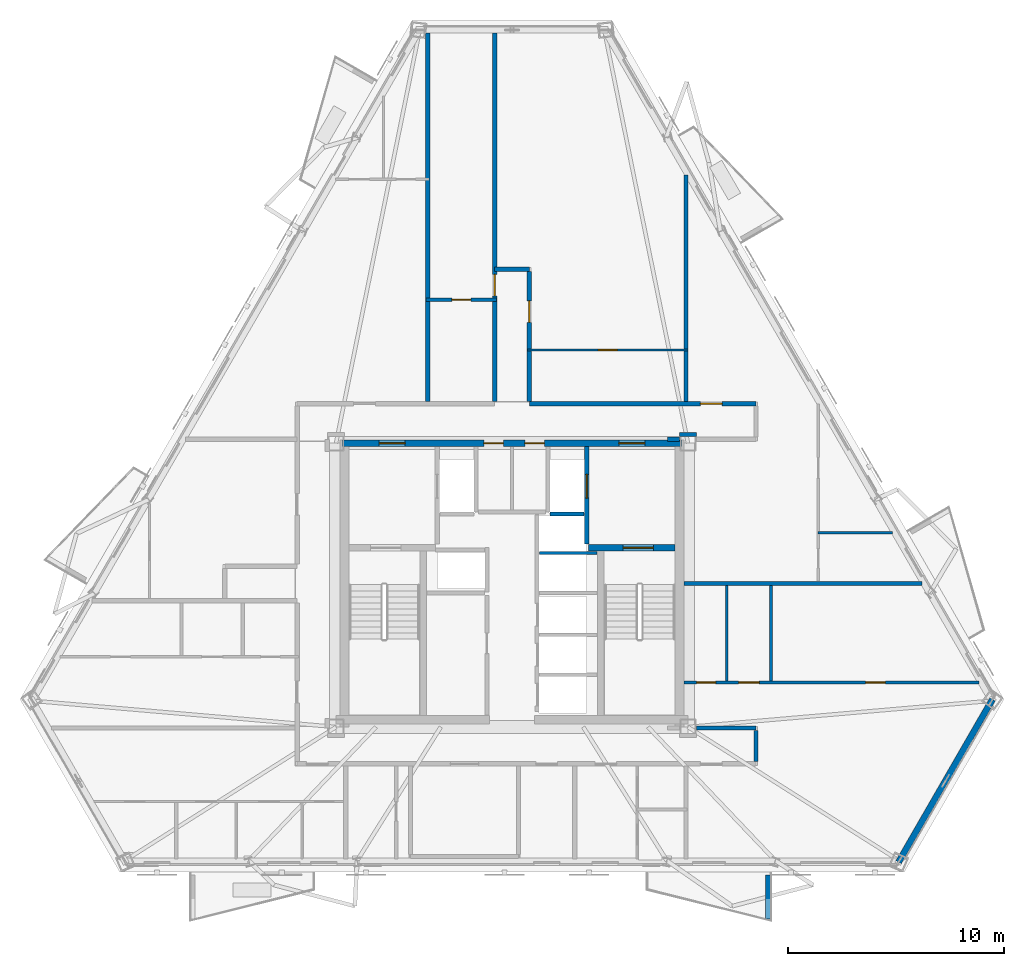
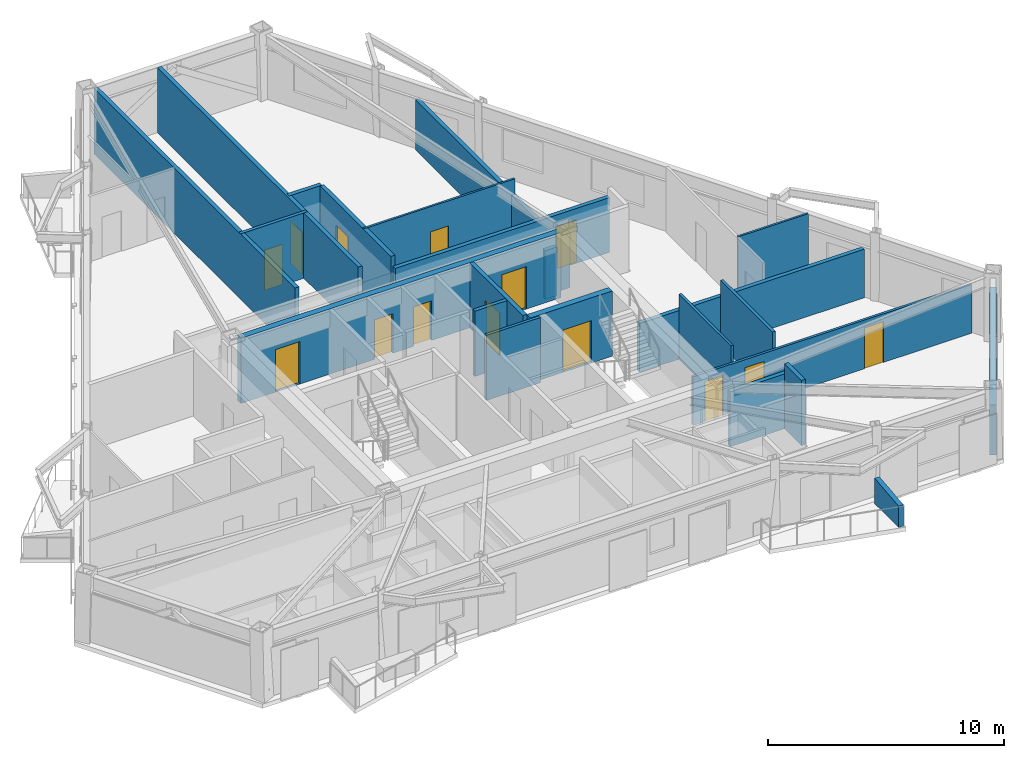
# One storey, part 5 of 9: 24 walls, 14 doors, 14 openings.
"""IFC4 building model written with IfcOpenShell, lengths in metres."""

from ifc_helpers import new_model, si_unit, direction, frame, frame_2d, origin, place, context, subcontext, project, spatial, polyline, rectangle, outline, extrude, material, layer, layer_set, type_object, element, fill, save


model = new_model("IFC4")

# Units and contexts
model_context = context("Model", 3, precision=1e-05, world=origin(), true_north=direction((0.0, 1.0)))
body_context = subcontext(model_context, "Body", "Model", "MODEL_VIEW")
ifc_project = project(units=[si_unit("LENGTHUNIT", "METRE"), si_unit("AREAUNIT", "SQUARE_METRE"), si_unit("VOLUMEUNIT", "CUBIC_METRE"), si_unit("PLANEANGLEUNIT", "RADIAN"), si_unit("MASSUNIT", "GRAM", prefix="KILO")], contexts=[model_context])

# Site, building, storey
site_placement = place(None, origin())
site = spatial("IfcSite", under=ifc_project, at=site_placement, CompositionType="ELEMENT")
building_placement = place(site_placement, origin())
building = spatial("IfcBuilding", under=site, at=building_placement, Name="Oramaril Tower", CompositionType="ELEMENT")
storey_placement = place(building_placement, frame((0.0, 0.0, 167.39990234375)))
storey = spatial("IfcBuildingStorey", under=building, at=storey_placement, Name="L44", CompositionType="ELEMENT", Elevation=167.39990234375)

# Walls
ifc_material_1 = material(Name="Warm Cream Limestone", Category="masonry")
ifc_layer_1 = layer(ifc_material_1, 0.2900390625)
ifc_layer_set_1 = layer_set([ifc_layer_1], Name="WT-EXT29")
wall_type_1 = type_object("IfcWallType", Name="WT-EXT29", PredefinedType="SOLIDWALL", material=ifc_layer_set_1)
wall_1_placement = place(storey_placement, frame((55.4013671875, 4.736572265625, 0.0), z_axis=(0.0, 0.0, 1.0), x_axis=(0.499977253468, 0.866038536102, 0.0)))
element("IfcWall", 1, at=wall_1_placement, inside=storey, type_object=wall_type_1, Name="L44 Tower Limestone Facade Wall 3M", PredefinedType="SOLIDWALL", context=body_context, shape_type="SweptSolid", body=[
    extrude(rectangle(XDim=8.708984375, YDim=0.2900390625, at=frame_2d((4.3544921875, 0.0))), origin(), (0.0, 0.0, 1.0), 2.60009765625),
])
ifc_material_2 = material(Name="Concrete C40/50", Category="concrete")
ifc_layer_2 = layer(ifc_material_2, 0.22998046875)
ifc_layer_set_2 = layer_set([ifc_layer_2], Name="WT-PRP23")
wall_type_2 = type_object("IfcWallType", Name="WT-PRP23", PredefinedType="PARAPET", material=ifc_layer_set_2)
wall_2_placement = place(storey_placement, frame((49.36181640625, 4.138671875, 0.0), z_axis=(0.0, 0.0, 1.0), x_axis=(0.0, -1.0, 0.0)))
element("IfcWall", 2, at=wall_2_placement, inside=storey, type_object=wall_type_2, Name="L44 Trapezoidal Balcony Frame Cheek L44-BAL-S2-R", PredefinedType="PARAPET", context=body_context, shape_type="SweptSolid", body=[
    extrude(outline(polyline([(0.0, 0.0), (2.0419921875, 0.0), (2.0419921875, 1.10009765625), (0.0, 1.320068359375), (0.0, 0.0)])), frame((0.0, 0.114990234375, 0.0), z_axis=(0.0, -1.0, 0.0), x_axis=(1.0, 0.0, 0.0)), (0.0, 0.0, 1.0), 0.22998046875),
])
ifc_material_3 = material(Name="Acoustic Gypsum Board Partition")
ifc_layer_3 = layer(ifc_material_3, 0.10009765625)
ifc_layer_set_3 = layer_set([ifc_layer_3], Name="WT-PT10")
wall_type_3 = type_object("IfcWallType", Name="WT-PT10", PredefinedType="PARTITIONING", material=ifc_layer_set_3)
wall_3_placement = place(storey_placement, frame((51.676025390625, 20.0, 0.0), z_axis=(0.0, 0.0, 1.0), x_axis=(1.0, 0.0, 0.0)))
element("IfcWall", 3, at=wall_3_placement, inside=storey, type_object=wall_type_3, Name="L44 Interior Partition PT-10", PredefinedType="PARTITIONING", context=body_context, shape_type="SweptSolid", body=[
    extrude(rectangle(XDim=3.44970703125, YDim=0.10009765625, at=frame_2d((1.724853515625, 0.0))), origin(), (0.0, 0.0, 1.0), 3.380126953125),
])

# Wall, opening, door
wall_4_placement = place(storey_placement, frame((38.218017578125, 28.4599609375, 0.0), z_axis=(0.0, 0.0, 1.0), x_axis=(1.0, 0.0, 0.0)))
wall_4 = element("IfcWall", 4, at=wall_4_placement, inside=storey, type_object=wall_type_3, Name="L44 Interior Partition PT-10", PredefinedType="PARTITIONING", context=body_context, shape_type="SweptSolid", body=[
    extrude(rectangle(XDim=7.424072265625, YDim=0.10009765625, at=frame_2d((3.7119140625, 0.0))), origin(), (0.0, 0.0, 1.0), 3.380126953125),
])
opening_1_placement = place(wall_4_placement, frame((3.27197265625, 0.0, 0.0)))
opening_1 = element("IfcOpeningElement", 5, at=opening_1_placement, cuts=wall_4, Name="Opening D-L44-18", PredefinedType="OPENING", context=body_context, shape_type="SweptSolid", body=[
    extrude(rectangle(XDim=0.8798828125, YDim=2.080078125, at=frame_2d((0.43994140625, 1.0400390625))), frame((0.0, 0.050048828125, 0.0), z_axis=(0.0, -1.0, 0.0), x_axis=(1.0, 0.0, 0.0)), (0.0, 0.0, 1.0), 0.10009765625),
])
ifc_material_4 = material(Name="FSC Brazilian Freijo Hardwood", Category="wood")
door_type_1 = type_object("IfcDoorType", Name="DT-BATH", OperationType="NOTDEFINED", PredefinedType="DOOR", material=ifc_material_4)
door_1_placement = place(opening_1_placement, origin())
door_1 = element("IfcDoor", 6, at=door_1_placement, inside=storey, type_object=door_type_1, Name="L44 Flat L44-U10 Bathroom Door D-L44-18", OperationType="SINGLE_SWING_RIGHT", OverallHeight=2.080078125, OverallWidth=0.8798828125, PredefinedType="DOOR", context=body_context, shape_type="SweptSolid", body=[
    extrude(rectangle(XDim=0.8798828125, YDim=2.080078125, at=frame_2d((0.43994140625, 1.0400390625))), frame((0.0, 0.02490234375, 0.0), z_axis=(0.0, -1.0, 0.0), x_axis=(1.0, 0.0, 0.0)), (0.0, 0.0, 1.0), 0.050048828125),
])
fill(opening_1, door_1)

# Wall, openings, doors
ifc_material_5 = material(Name="Acoustic Gypsum Board Partition")
ifc_layer_4 = layer(ifc_material_5, 0.1201171875)
ifc_layer_set_4 = layer_set([ifc_layer_4], Name="WT-PT12")
wall_type_4 = type_object("IfcWallType", Name="WT-PT12", PredefinedType="PARTITIONING", material=ifc_layer_set_4)
wall_5_placement = place(storey_placement, frame((45.464111328125, 13.06005859375, 0.0), z_axis=(0.0, 0.0, 1.0), x_axis=(1.0, 0.0, 0.0)))
wall_5 = element("IfcWall", 7, at=wall_5_placement, inside=storey, type_object=wall_type_4, Name="L44 Interior Partition PT-12", PredefinedType="PARTITIONING", context=body_context, shape_type="SweptSolid", body=[
    extrude(rectangle(XDim=13.66845703125, YDim=0.1201171875, at=frame_2d((6.834228515625, 0.0))), origin(), (0.0, 0.0, 1.0), 2.52001953125),
])
opening_2_placement = place(wall_5_placement, frame((0.5859375, 0.0, 0.0)))
opening_2 = element("IfcOpeningElement", 8, at=opening_2_placement, cuts=wall_5, Name="Opening D-L44-10", PredefinedType="OPENING", context=body_context, shape_type="SweptSolid", body=[
    extrude(rectangle(XDim=0.8798828125, YDim=2.080078125, at=frame_2d((0.43994140625, 1.0400390625))), frame((0.0, 0.06005859375, 0.0), z_axis=(0.0, -1.0, 0.0), x_axis=(1.0, 0.0, 0.0)), (0.0, 0.0, 1.0), 0.1201171875),
])
opening_3_placement = place(wall_5_placement, frame((2.535888671875, 0.0, 0.0)))
opening_3 = element("IfcOpeningElement", 9, at=opening_3_placement, cuts=wall_5, Name="Opening D-L44-11", PredefinedType="OPENING", context=body_context, shape_type="SweptSolid", body=[
    extrude(rectangle(XDim=0.949951171875, YDim=2.10009765625, at=frame_2d((0.47509765625, 1.050048828125))), frame((0.0, 0.06005859375, 0.0), z_axis=(0.0, -1.0, 0.0), x_axis=(1.0, 0.0, 0.0)), (0.0, 0.0, 1.0), 0.1201171875),
])
opening_4_placement = place(wall_5_placement, frame((8.408203125, 0.0, 0.0)))
opening_4 = element("IfcOpeningElement", 10, at=opening_4_placement, cuts=wall_5, Name="Opening D-L44-12", PredefinedType="OPENING", context=body_context, shape_type="SweptSolid", body=[
    extrude(rectangle(XDim=0.919921875, YDim=2.1201171875, at=frame_2d((0.4599609375, 1.06005859375))), frame((0.0, 0.06005859375, 0.0), z_axis=(0.0, -1.0, 0.0), x_axis=(1.0, 0.0, 0.0)), (0.0, 0.0, 1.0), 0.1201171875),
])
door_2_placement = place(opening_2_placement, origin())
door_2 = element("IfcDoor", 11, at=door_2_placement, inside=storey, type_object=door_type_1, Name="L44 Flat L44-U6 Bathroom Door D-L44-10", OperationType="SINGLE_SWING_RIGHT", OverallHeight=2.080078125, OverallWidth=0.8798828125, PredefinedType="DOOR", context=body_context, shape_type="SweptSolid", body=[
    extrude(rectangle(XDim=0.8798828125, YDim=2.080078125, at=frame_2d((0.43994140625, 1.0400390625))), frame((0.0, 0.02490234375, 0.0), z_axis=(0.0, -1.0, 0.0), x_axis=(1.0, 0.0, 0.0)), (0.0, 0.0, 1.0), 0.050048828125),
])
fill(opening_2, door_2)
ifc_material_6 = material(Name="FSC Brazilian Freijo Hardwood", Category="wood")
door_type_2 = type_object("IfcDoorType", Name="DT-BED", OperationType="NOTDEFINED", PredefinedType="DOOR", material=ifc_material_6)
door_3_placement = place(opening_4_placement, origin())
door_3 = element("IfcDoor", 12, at=door_3_placement, inside=storey, type_object=door_type_2, Name="L44 Flat L44-U6 Master Bedroom Door D-L44-12", OperationType="SINGLE_SWING_RIGHT", OverallHeight=2.1201171875, OverallWidth=0.919921875, PredefinedType="DOOR", context=body_context, shape_type="SweptSolid", body=[
    extrude(rectangle(XDim=0.919921875, YDim=2.1201171875, at=frame_2d((0.4599609375, 1.06005859375))), frame((0.0, 0.02490234375, 0.0), z_axis=(0.0, -1.0, 0.0), x_axis=(1.0, 0.0, 0.0)), (0.0, 0.0, 1.0), 0.050048828125),
])
fill(opening_4, door_3)
ifc_material_7 = material(Name="FSC Brazilian Freijo Hardwood", Category="wood")
door_type_3 = type_object("IfcDoorType", Name="DT-STDY", OperationType="NOTDEFINED", PredefinedType="DOOR", material=ifc_material_7)
door_4_placement = place(opening_3_placement, origin())
door_4 = element("IfcDoor", 13, at=door_4_placement, inside=storey, type_object=door_type_3, Name="L44 Flat L44-U6 Kitchen Door D-L44-11", OperationType="SINGLE_SWING_LEFT", OverallHeight=2.10009765625, OverallWidth=0.949951171875, PredefinedType="DOOR", context=body_context, shape_type="SweptSolid", body=[
    extrude(rectangle(XDim=0.949951171875, YDim=2.10009765625, at=frame_2d((0.47509765625, 1.050048828125))), frame((0.0, 0.02490234375, 0.0), z_axis=(0.0, -1.0, 0.0), x_axis=(1.0, 0.0, 0.0)), (0.0, 0.0, 1.0), 0.050048828125),
])
fill(opening_3, door_4)

# Walls
wall_6_placement = place(storey_placement, frame((47.449951171875, 13.1240234375, 0.0), z_axis=(0.0, 0.0, 1.0), x_axis=(0.0, 1.0, 0.0)))
element("IfcWall", 14, at=wall_6_placement, inside=storey, type_object=wall_type_4, Name="L44 Interior Partition PT-12", PredefinedType="PARTITIONING", context=body_context, shape_type="SweptSolid", body=[
    extrude(rectangle(XDim=4.421875, YDim=0.1201171875, at=frame_2d((2.2109375, 0.0))), origin(), (0.0, 0.0, 1.0), 3.380126953125),
])
ifc_material_8 = material(Name="Acoustic Gypsum Board Partition")
ifc_layer_5 = layer(ifc_material_8, 0.139892578125)
ifc_layer_set_5 = layer_set([ifc_layer_5], Name="WT-PT14")
wall_type_5 = type_object("IfcWallType", Name="WT-PT14", PredefinedType="PARTITIONING", material=ifc_layer_set_5)
wall_7_placement = place(storey_placement, frame((38.780029296875, 19.050048828125, 0.0), z_axis=(0.0, 0.0, 1.0), x_axis=(1.0, 0.0, 0.0)))
element("IfcWall", 15, at=wall_7_placement, inside=storey, type_object=wall_type_5, Name="L44 East Lift Divider", PredefinedType="PARTITIONING", context=body_context, shape_type="SweptSolid", body=[
    extrude(rectangle(XDim=2.659912109375, YDim=0.139892578125, at=frame_2d((1.330078125, 0.0))), origin(), (0.0, 0.0, 1.0), 3.380126953125),
])
wall_8_placement = place(storey_placement, frame((49.5, 13.1240234375, 0.0), z_axis=(0.0, 0.0, 1.0), x_axis=(0.0, 1.0, 0.0)))
element("IfcWall", 16, at=wall_8_placement, inside=storey, type_object=wall_type_5, Name="L44 Interior Partition PT-14", PredefinedType="PARTITIONING", context=body_context, shape_type="SweptSolid", body=[
    extrude(rectangle(XDim=4.421875, YDim=0.139892578125, at=frame_2d((2.2109375, 0.0))), origin(), (0.0, 0.0, 1.0), 3.380126953125),
])

# Wall, opening, door
ifc_material_9 = material(Name="Acoustic Gypsum Board Partition")
ifc_layer_6 = layer(ifc_material_9, 0.159912109375)
ifc_layer_set_6 = layer_set([ifc_layer_6], Name="WT-PT16")
wall_type_6 = type_object("IfcWallType", Name="WT-PT16", PredefinedType="PARTITIONING", material=ifc_layer_set_6)
wall_9_placement = place(storey_placement, frame((33.51806640625, 30.780029296875, 0.0), z_axis=(0.0, 0.0, 1.0), x_axis=(1.0, 0.0, 0.0)))
wall_9 = element("IfcWall", 17, at=wall_9_placement, inside=storey, type_object=wall_type_6, Name="L44 Interior Partition PT-16", PredefinedType="PARTITIONING", context=body_context, shape_type="SweptSolid", body=[
    extrude(rectangle(XDim=3.263916015625, YDim=0.159912109375, at=frame_2d((1.6318359375, 0.0))), origin(), (0.0, 0.0, 1.0), 3.380126953125),
])
opening_5_placement = place(wall_9_placement, frame((1.19189453125, 0.0, 0.0)))
opening_5 = element("IfcOpeningElement", 18, at=opening_5_placement, cuts=wall_9, Name="Opening D-L44-19", PredefinedType="OPENING", context=body_context, shape_type="SweptSolid", body=[
    extrude(rectangle(XDim=0.8798828125, YDim=2.080078125, at=frame_2d((0.43994140625, 1.0400390625))), frame((0.0, 0.080078125, 0.0), z_axis=(0.0, -1.0, 0.0), x_axis=(1.0, 0.0, 0.0)), (0.0, 0.0, 1.0), 0.159912109375),
])
door_5_placement = place(opening_5_placement, origin())
door_5 = element("IfcDoor", 19, at=door_5_placement, inside=storey, type_object=door_type_1, Name="L44 Flat L44-U9 Bathroom Door D-L44-19", OperationType="SINGLE_SWING_LEFT", OverallHeight=2.080078125, OverallWidth=0.8798828125, PredefinedType="DOOR", context=body_context, shape_type="SweptSolid", body=[
    extrude(rectangle(XDim=0.8798828125, YDim=2.080078125, at=frame_2d((0.43994140625, 1.0400390625))), frame((0.0, 0.02490234375, 0.0), z_axis=(0.0, -1.0, 0.0), x_axis=(1.0, 0.0, 0.0)), (0.0, 0.0, 1.0), 0.050048828125),
])
fill(opening_5, door_5)

# Walls
ifc_material_10 = material(Name="Autoclaved Cellular Concrete Block", Category="concrete")
ifc_layer_7 = layer(ifc_material_10, 0.179931640625)
ifc_layer_set_7 = layer_set([ifc_layer_7], Name="WT-PT18")
wall_type_7 = type_object("IfcWallType", Name="WT-PT18", PredefinedType="PARTITIONING", material=ifc_layer_set_7)
wall_10_placement = place(storey_placement, frame((39.260009765625, 20.860107421875, 0.0), z_axis=(0.0, 0.0, 1.0), x_axis=(1.0, 0.0, 0.0)))
element("IfcWall", 20, at=wall_10_placement, inside=storey, type_object=wall_type_7, Name="L44 FL-2 South Shaft Wall", PredefinedType="PARTITIONING", context=body_context, shape_type="SweptSolid", body=[
    extrude(rectangle(XDim=1.580078125, YDim=0.179931640625, at=frame_2d((0.7900390625, 0.0))), origin(), (0.0, 0.0, 1.0), 3.380126953125),
])
ifc_material_11 = material(Name="Autoclaved Cellular Concrete Block", Category="concrete")
ifc_layer_8 = layer(ifc_material_11, 0.199951171875)
ifc_layer_set_8 = layer_set([ifc_layer_8], Name="WT-PT20")
wall_type_8 = type_object("IfcWallType", Name="WT-PT20", PredefinedType="PARTITIONING", material=ifc_layer_set_8)
wall_11_placement = place(storey_placement, frame((46.0400390625, 10.949951171875, 0.0), z_axis=(0.0, 0.0, 1.0), x_axis=(1.0, 0.0, 0.0)))
element("IfcWall", 21, at=wall_11_placement, inside=storey, type_object=wall_type_8, Name="L44 Interior Partition PT-20", PredefinedType="PARTITIONING", context=body_context, shape_type="SweptSolid", body=[
    extrude(rectangle(XDim=2.760009765625, YDim=0.199951171875, at=frame_2d((1.3798828125, 0.0))), origin(), (0.0, 0.0, 1.0), 2.842041015625),
])
wall_12_placement = place(storey_placement, frame((45.464111328125, 17.64990234375, 0.0), z_axis=(0.0, 0.0, 1.0), x_axis=(1.0, 0.0, 0.0)))
element("IfcWall", 22, at=wall_12_placement, inside=storey, type_object=wall_type_8, Name="L44 Interior Partition PT-20", PredefinedType="PARTITIONING", context=body_context, shape_type="SweptSolid", body=[
    extrude(rectangle(XDim=11.018310546875, YDim=0.199951171875, at=frame_2d((5.50927734375, 0.0))), origin(), (0.0, 0.0, 1.0), 2.52001953125),
])
wall_13_placement = place(storey_placement, frame((44.695068359375, 24.320068359375, 0.0), z_axis=(0.0, 0.0, 1.0), x_axis=(1.0, 0.0, 0.0)))
element("IfcWall", 23, at=wall_13_placement, inside=storey, type_object=wall_type_8, Name="L44 Interior Partition PT-20", PredefinedType="PARTITIONING", context=body_context, shape_type="SweptSolid", body=[
    extrude(rectangle(XDim=0.56494140625, YDim=0.199951171875, at=frame_2d((0.282470703125, 0.0))), origin(), (0.0, 0.0, 1.0), 2.52001953125),
])
wall_14_placement = place(storey_placement, frame((45.2548828125, 24.550048828125, 0.0), z_axis=(0.0, 0.0, 1.0), x_axis=(1.0, 0.0, 0.0)))
element("IfcWall", 24, at=wall_14_placement, inside=storey, type_object=wall_type_8, Name="L44 Interior Partition PT-20", PredefinedType="PARTITIONING", context=body_context, shape_type="SweptSolid", body=[
    extrude(rectangle(XDim=0.7900390625, YDim=0.199951171875, at=frame_2d((0.39501953125, 0.0))), origin(), (0.0, 0.0, 1.0), 2.842041015625),
])

# Wall, opening, door
wall_15_placement = place(storey_placement, frame((38.300048828125, 25.969970703125, 0.0), z_axis=(0.0, 0.0, 1.0), x_axis=(1.0, 0.0, 0.0)))
wall_15 = element("IfcWall", 25, at=wall_15_placement, inside=storey, type_object=wall_type_8, Name="L44 Interior Partition PT-20", PredefinedType="PARTITIONING", context=body_context, shape_type="SweptSolid", body=[
    extrude(rectangle(XDim=10.5, YDim=0.199951171875, at=frame_2d((5.25, 0.0))), origin(), (0.0, 0.0, 1.0), 2.842041015625),
])
opening_6_placement = place(wall_15_placement, frame((7.929931640625, 0.0, 0.0)))
opening_6 = element("IfcOpeningElement", 26, at=opening_6_placement, cuts=wall_15, Name="Opening D-L44-17", PredefinedType="OPENING", context=body_context, shape_type="SweptSolid", body=[
    extrude(rectangle(XDim=1.0, YDim=2.179931640625, at=frame_2d((0.5, 1.08984375))), frame((0.0, 0.10009765625, 0.0), z_axis=(0.0, -1.0, 0.0), x_axis=(1.0, 0.0, 0.0)), (0.0, 0.0, 1.0), 0.199951171875),
])
ifc_material_12 = material(Name="FSC Brazilian Freijo Hardwood", Category="wood")
door_type_4 = type_object("IfcDoorType", Name="DT-APT", OperationType="NOTDEFINED", PredefinedType="DOOR", material=ifc_material_12)
door_6_placement = place(opening_6_placement, origin())
door_6 = element("IfcDoor", 27, at=door_6_placement, inside=storey, type_object=door_type_4, Name="L44 Flat L44-U7 Studio Apartment Door D-L44-17", OperationType="SINGLE_SWING_LEFT", OverallHeight=2.179931640625, OverallWidth=1.0, PredefinedType="DOOR", context=body_context, shape_type="SweptSolid", body=[
    extrude(rectangle(XDim=1.0, YDim=2.179931640625, at=frame_2d((0.5, 1.08984375))), frame((0.0, 0.02490234375, 0.0), z_axis=(0.0, -1.0, 0.0), x_axis=(1.0, 0.0, 0.0)), (0.0, 0.0, 1.0), 0.050048828125),
])
fill(opening_6, door_6)

# Walls
wall_16_placement = place(storey_placement, frame((36.699951171875, 32.199951171875, 0.0), z_axis=(0.0, 0.0, 1.0), x_axis=(1.0, 0.0, 0.0)))
element("IfcWall", 28, at=wall_16_placement, inside=storey, type_object=wall_type_8, Name="L44 Interior Partition PT-20", PredefinedType="PARTITIONING", context=body_context, shape_type="SweptSolid", body=[
    extrude(rectangle(XDim=1.60009765625, YDim=0.199951171875, at=frame_2d((0.800048828125, 0.0))), origin(), (0.0, 0.0, 1.0), 3.380126953125),
])
wall_17_placement = place(storey_placement, frame((33.60009765625, 26.073974609375, 0.0), z_axis=(0.0, 0.0, 1.0), x_axis=(0.0, 1.0, 0.0)))
element("IfcWall", 29, at=wall_17_placement, inside=storey, type_object=wall_type_8, Name="L44 Interior Partition PT-20", PredefinedType="PARTITIONING", context=body_context, shape_type="SweptSolid", body=[
    extrude(rectangle(XDim=17.061767578125, YDim=0.199951171875, at=frame_2d((8.53076171875, 0.0))), origin(), (0.0, 0.0, 1.0), 3.380126953125),
])

# Wall, opening, door
wall_18_placement = place(storey_placement, frame((36.699951171875, 26.073974609375, 0.0), z_axis=(0.0, 0.0, 1.0), x_axis=(0.0, 1.0, 0.0)))
wall_18 = element("IfcWall", 30, at=wall_18_placement, inside=storey, type_object=wall_type_8, Name="L44 Interior Partition PT-20", PredefinedType="PARTITIONING", context=body_context, shape_type="SweptSolid", body=[
    extrude(rectangle(XDim=17.061767578125, YDim=0.199951171875, at=frame_2d((8.53076171875, 0.0))), origin(), (0.0, 0.0, 1.0), 3.380126953125),
])
opening_7_placement = place(wall_18_placement, frame((4.89306640625, 0.0, 0.0)))
opening_7 = element("IfcOpeningElement", 31, at=opening_7_placement, cuts=wall_18, Name="Opening D-L44-26", PredefinedType="OPENING", context=body_context, shape_type="SweptSolid", body=[
    extrude(rectangle(XDim=1.0, YDim=2.179931640625, at=frame_2d((0.5, 1.08984375))), frame((0.0, 0.10009765625, 0.0), z_axis=(0.0, -1.0, 0.0), x_axis=(1.0, 0.0, 0.0)), (0.0, 0.0, 1.0), 0.199951171875),
])
door_7_placement = place(opening_7_placement, origin())
door_7 = element("IfcDoor", 32, at=door_7_placement, inside=storey, type_object=door_type_4, Name="L44 Flat L44-U9 Kitchen and Studio Apartment Door D-L44-26", OperationType="SINGLE_SWING_RIGHT", OverallHeight=2.179931640625, OverallWidth=1.0, PredefinedType="DOOR", context=body_context, shape_type="SweptSolid", body=[
    extrude(rectangle(XDim=1.0, YDim=2.179931640625, at=frame_2d((0.5, 1.08984375))), frame((0.0, 0.02490234375, 0.0), z_axis=(0.0, -1.0, 0.0), x_axis=(1.0, 0.0, 0.0)), (0.0, 0.0, 1.0), 0.050048828125),
])
fill(opening_7, door_7)

wall_19_placement = place(storey_placement, frame((38.300048828125, 26.073974609375, 0.0), z_axis=(0.0, 0.0, 1.0), x_axis=(0.0, 1.0, 0.0)))
wall_19 = element("IfcWall", 33, at=wall_19_placement, inside=storey, type_object=wall_type_8, Name="L44 Interior Partition PT-20", PredefinedType="PARTITIONING", context=body_context, shape_type="SweptSolid", body=[
    extrude(rectangle(XDim=6.02197265625, YDim=0.199951171875, at=frame_2d((3.010986328125, 0.0))), origin(), (0.0, 0.0, 1.0), 3.380126953125),
])
opening_8_placement = place(wall_19_placement, frame((3.660888671875, 0.0, 0.0)))
opening_8 = element("IfcOpeningElement", 34, at=opening_8_placement, cuts=wall_19, Name="Opening D-L44-27", PredefinedType="OPENING", context=body_context, shape_type="SweptSolid", body=[
    extrude(rectangle(XDim=1.0, YDim=2.179931640625, at=frame_2d((0.5, 1.08984375))), frame((0.0, 0.10009765625, 0.0), z_axis=(0.0, -1.0, 0.0), x_axis=(1.0, 0.0, 0.0)), (0.0, 0.0, 1.0), 0.199951171875),
])
door_8_placement = place(opening_8_placement, origin())
door_8 = element("IfcDoor", 35, at=door_8_placement, inside=storey, type_object=door_type_4, Name="L44 Flat L44-U10 Kitchen and Studio Apartment Door D-L44-27", OperationType="SINGLE_SWING_LEFT", OverallHeight=2.179931640625, OverallWidth=1.0, PredefinedType="DOOR", context=body_context, shape_type="SweptSolid", body=[
    extrude(rectangle(XDim=1.0, YDim=2.179931640625, at=frame_2d((0.5, 1.08984375))), frame((0.0, 0.02490234375, 0.0), z_axis=(0.0, -1.0, 0.0), x_axis=(1.0, 0.0, 0.0)), (0.0, 0.0, 1.0), 0.050048828125),
])
fill(opening_8, door_8)

# Walls
wall_20_placement = place(storey_placement, frame((45.56005859375, 26.073974609375, 0.0), z_axis=(0.0, 0.0, 1.0), x_axis=(0.0, 1.0, 0.0)))
element("IfcWall", 36, at=wall_20_placement, inside=storey, type_object=wall_type_8, Name="L44 Interior Partition PT-20", PredefinedType="PARTITIONING", context=body_context, shape_type="SweptSolid", body=[
    extrude(rectangle(XDim=10.494384765625, YDim=0.199951171875, at=frame_2d((5.2470703125, 0.0))), origin(), (0.0, 0.0, 1.0), 2.60009765625),
])
wall_21_placement = place(storey_placement, frame((48.800048828125, 9.404052734375, 0.0), z_axis=(0.0, 0.0, 1.0), x_axis=(0.0, 1.0, 0.0)))
element("IfcWall", 37, at=wall_21_placement, inside=storey, type_object=wall_type_8, Name="L44 Interior Partition PT-20", PredefinedType="PARTITIONING", context=body_context, shape_type="SweptSolid", body=[
    extrude(rectangle(XDim=1.44189453125, YDim=0.199951171875, at=frame_2d((0.720947265625, 0.0))), origin(), (0.0, 0.0, 1.0), 3.380126953125),
])

# Wall, openings, doors
ifc_material_13 = material(Name="Concrete C50/60", Category="concrete")
ifc_layer_9 = layer(ifc_material_13, 0.300048828125)
ifc_layer_set_9 = layer_set([ifc_layer_9], Name="WT-SH30")
wall_type_9 = type_object("IfcWallType", Name="WT-SH30", PredefinedType="SHEAR", material=ifc_layer_set_9)
wall_22_placement = place(storey_placement, frame((29.64990234375, 24.14990234375, 0.0), z_axis=(0.0, 0.0, 1.0), x_axis=(1.0, 0.0, 0.0)))
wall_22 = element("IfcWall", 38, at=wall_22_placement, inside=storey, type_object=wall_type_9, Name="L44 Core Shear Wall CW-N", PredefinedType="SHEAR", context=body_context, shape_type="SweptSolid", body=[
    extrude(rectangle(XDim=15.7001953125, YDim=0.300048828125, at=frame_2d((7.85009765625, 0.0))), origin(), (0.0, 0.0, 1.0), 3.380126953125),
])
opening_9_placement = place(wall_22_placement, frame((1.699951171875, 0.0, 0.0)))
opening_9 = element("IfcOpeningElement", 39, at=opening_9_placement, cuts=wall_22, Name="Opening D-L44-FFL1", PredefinedType="OPENING", context=body_context, shape_type="SweptSolid", body=[
    extrude(rectangle(XDim=1.199951171875, YDim=2.199951171875, at=frame_2d((0.60009765625, 1.10009765625))), frame((0.0, 0.14990234375, 0.0), z_axis=(0.0, -1.0, 0.0), x_axis=(1.0, 0.0, 0.0)), (0.0, 0.0, 1.0), 0.300048828125),
])
opening_10_placement = place(wall_22_placement, frame((12.800048828125, 0.0, 0.0)))
opening_10 = element("IfcOpeningElement", 40, at=opening_10_placement, cuts=wall_22, Name="Opening D-L44-FFL2", PredefinedType="OPENING", context=body_context, shape_type="SweptSolid", body=[
    extrude(rectangle(XDim=1.199951171875, YDim=2.199951171875, at=frame_2d((0.60009765625, 1.10009765625))), frame((0.0, 0.14990234375, 0.0), z_axis=(0.0, -1.0, 0.0), x_axis=(1.0, 0.0, 0.0)), (0.0, 0.0, 1.0), 0.300048828125),
])
opening_11_placement = place(wall_22_placement, frame((6.550048828125, 0.0, 0.0)))
opening_11 = element("IfcOpeningElement", 41, at=opening_11_placement, cuts=wall_22, Name="Opening D-L44-SV1", PredefinedType="OPENING", context=body_context, shape_type="SweptSolid", body=[
    extrude(rectangle(XDim=0.89990234375, YDim=2.050048828125, at=frame_2d((0.449951171875, 1.02490234375))), frame((0.0, 0.14990234375, 0.0), z_axis=(0.0, -1.0, 0.0), x_axis=(1.0, 0.0, 0.0)), (0.0, 0.0, 1.0), 0.300048828125),
])
opening_12_placement = place(wall_22_placement, frame((8.449951171875, 0.0, 0.0)))
opening_12 = element("IfcOpeningElement", 42, at=opening_12_placement, cuts=wall_22, Name="Opening D-L44-SV2", PredefinedType="OPENING", context=body_context, shape_type="SweptSolid", body=[
    extrude(rectangle(XDim=0.89990234375, YDim=2.050048828125, at=frame_2d((0.449951171875, 1.02490234375))), frame((0.0, 0.14990234375, 0.0), z_axis=(0.0, -1.0, 0.0), x_axis=(1.0, 0.0, 0.0)), (0.0, 0.0, 1.0), 0.300048828125),
])
ifc_material_14 = material(Name="Painted Galvanised Steel", Category="steel")
door_type_5 = type_object("IfcDoorType", Name="DT-FFL", OperationType="NOTDEFINED", PredefinedType="DOOR", material=ifc_material_14)
door_9_placement = place(opening_9_placement, origin())
door_9 = element("IfcDoor", 43, at=door_9_placement, inside=storey, type_object=door_type_5, Name="L44 Firefighting Lobby 1 Fire Door", OperationType="SINGLE_SWING_LEFT", OverallHeight=2.199951171875, OverallWidth=1.199951171875, PredefinedType="DOOR", context=body_context, shape_type="SweptSolid", body=[
    extrude(rectangle(XDim=1.199951171875, YDim=2.199951171875, at=frame_2d((0.60009765625, 1.10009765625))), frame((0.0, 0.02490234375, 0.0), z_axis=(0.0, -1.0, 0.0), x_axis=(1.0, 0.0, 0.0)), (0.0, 0.0, 1.0), 0.050048828125),
])
fill(opening_9, door_9)
door_10_placement = place(opening_10_placement, origin())
door_10 = element("IfcDoor", 44, at=door_10_placement, inside=storey, type_object=door_type_5, Name="L44 Firefighting Lobby 2 Fire Door", OperationType="SINGLE_SWING_RIGHT", OverallHeight=2.199951171875, OverallWidth=1.199951171875, PredefinedType="DOOR", context=body_context, shape_type="SweptSolid", body=[
    extrude(rectangle(XDim=1.199951171875, YDim=2.199951171875, at=frame_2d((0.60009765625, 1.10009765625))), frame((0.0, 0.02490234375, 0.0), z_axis=(0.0, -1.0, 0.0), x_axis=(1.0, 0.0, 0.0)), (0.0, 0.0, 1.0), 0.050048828125),
])
fill(opening_10, door_10)
ifc_material_15 = material(Name="Painted Galvanised Steel", Category="steel")
door_type_6 = type_object("IfcDoorType", Name="DT-SVC", OperationType="NOTDEFINED", PredefinedType="DOOR", material=ifc_material_15)
door_11_placement = place(opening_11_placement, origin())
door_11 = element("IfcDoor", 45, at=door_11_placement, inside=storey, type_object=door_type_6, Name="L44 Core Service Store 1 Door", OperationType="SINGLE_SWING_LEFT", OverallHeight=2.050048828125, OverallWidth=0.89990234375, PredefinedType="DOOR", context=body_context, shape_type="SweptSolid", body=[
    extrude(rectangle(XDim=0.89990234375, YDim=2.050048828125, at=frame_2d((0.449951171875, 1.02490234375))), frame((0.0, 0.02490234375, 0.0), z_axis=(0.0, -1.0, 0.0), x_axis=(1.0, 0.0, 0.0)), (0.0, 0.0, 1.0), 0.050048828125),
])
fill(opening_11, door_11)
door_12_placement = place(opening_12_placement, origin())
door_12 = element("IfcDoor", 46, at=door_12_placement, inside=storey, type_object=door_type_6, Name="L44 Core Service Store 2 Door", OperationType="SINGLE_SWING_RIGHT", OverallHeight=2.050048828125, OverallWidth=0.89990234375, PredefinedType="DOOR", context=body_context, shape_type="SweptSolid", body=[
    extrude(rectangle(XDim=0.89990234375, YDim=2.050048828125, at=frame_2d((0.449951171875, 1.02490234375))), frame((0.0, 0.02490234375, 0.0), z_axis=(0.0, -1.0, 0.0), x_axis=(1.0, 0.0, 0.0)), (0.0, 0.0, 1.0), 0.050048828125),
])
fill(opening_12, door_12)

# Wall, opening, door
wall_23_placement = place(storey_placement, frame((41.050048828125, 19.31005859375, 0.0), z_axis=(0.0, 0.0, 1.0), x_axis=(1.0, 0.0, 0.0)))
wall_23 = element("IfcWall", 47, at=wall_23_placement, inside=storey, type_object=wall_type_9, Name="L44 Core Shear Wall CW-ST2N", PredefinedType="SHEAR", context=body_context, shape_type="SweptSolid", body=[
    extrude(rectangle(XDim=4.010009765625, YDim=0.300048828125, at=frame_2d((2.0048828125, 0.0))), origin(), (0.0, 0.0, 1.0), 3.380126953125),
])
opening_13_placement = place(wall_23_placement, frame((1.60009765625, 0.0, 0.0)))
opening_13 = element("IfcOpeningElement", 48, at=opening_13_placement, cuts=wall_23, Name="Opening D-L44-ST2", PredefinedType="OPENING", context=body_context, shape_type="SweptSolid", body=[
    extrude(rectangle(XDim=1.39990234375, YDim=2.199951171875, at=frame_2d((0.699951171875, 1.10009765625))), frame((0.0, 0.14990234375, 0.0), z_axis=(0.0, -1.0, 0.0), x_axis=(1.0, 0.0, 0.0)), (0.0, 0.0, 1.0), 0.300048828125),
])
ifc_material_16 = material(Name="Painted Galvanised Steel", Category="steel")
door_type_7 = type_object("IfcDoorType", Name="DT-ST", OperationType="NOTDEFINED", PredefinedType="DOOR", material=ifc_material_16)
door_13_placement = place(opening_13_placement, origin())
door_13 = element("IfcDoor", 49, at=door_13_placement, inside=storey, type_object=door_type_7, Name="L44 Protected Stair ST-2 Fire Door", OperationType="SINGLE_SWING_RIGHT", OverallHeight=2.199951171875, OverallWidth=1.39990234375, PredefinedType="DOOR", context=body_context, shape_type="SweptSolid", body=[
    extrude(rectangle(XDim=1.39990234375, YDim=2.199951171875, at=frame_2d((0.699951171875, 1.10009765625))), frame((0.0, 0.02490234375, 0.0), z_axis=(0.0, -1.0, 0.0), x_axis=(1.0, 0.0, 0.0)), (0.0, 0.0, 1.0), 0.050048828125),
])
fill(opening_13, door_13)

ifc_material_17 = material(Name="Autoclaved Cellular Concrete Block", Category="concrete")
ifc_layer_10 = layer(ifc_material_17, 0.199951171875)
ifc_layer_set_10 = layer_set([ifc_layer_10], Name="WT-SHF20")
wall_type_10 = type_object("IfcWallType", Name="WT-SHF20", PredefinedType="PARTITIONING", material=ifc_layer_set_10)
wall_24_placement = place(storey_placement, frame((40.9599609375, 19.47998046875, 0.0), z_axis=(0.0, 0.0, 1.0), x_axis=(0.0, 1.0, 0.0)))
wall_24 = element("IfcWall", 50, at=wall_24_placement, inside=storey, type_object=wall_type_10, Name="L44 FL-2 Lobby Shaft Wall", PredefinedType="PARTITIONING", context=body_context, shape_type="SweptSolid", body=[
    extrude(rectangle(XDim=4.5, YDim=0.199951171875, at=frame_2d((2.25, 0.0))), origin(), (0.0, 0.0, 1.0), 3.380126953125),
])
opening_14_placement = place(wall_24_placement, frame((2.1201171875, 0.0, 0.0)))
opening_14 = element("IfcOpeningElement", 51, at=opening_14_placement, cuts=wall_24, Name="Opening LD-L44-FL-2", PredefinedType="OPENING", context=body_context, shape_type="SweptSolid", body=[
    extrude(rectangle(XDim=1.10009765625, YDim=2.199951171875, at=frame_2d((0.550048828125, 1.10009765625))), frame((0.0, 0.10009765625, 0.0), z_axis=(0.0, -1.0, 0.0), x_axis=(1.0, 0.0, 0.0)), (0.0, 0.0, 1.0), 0.199951171875),
])
ifc_material_18 = material(Name="Stainless Steel 316L", Category="steel")
door_type_8 = type_object("IfcDoorType", Name="DT-LD1", OperationType="NOTDEFINED", PredefinedType="DOOR", material=ifc_material_18)
door_14_placement = place(opening_14_placement, origin())
door_14 = element("IfcDoor", 52, at=door_14_placement, inside=storey, type_object=door_type_8, Name="L44 Lift FL-2 Sliding Landing Door", OperationType="SLIDING_TO_RIGHT", OverallHeight=2.199951171875, OverallWidth=1.10009765625, PredefinedType="DOOR", context=body_context, shape_type="SweptSolid", body=[
    extrude(rectangle(XDim=1.10009765625, YDim=2.199951171875, at=frame_2d((0.550048828125, 1.10009765625))), frame((0.0, 0.02490234375, 0.0), z_axis=(0.0, -1.0, 0.0), x_axis=(1.0, 0.0, 0.0)), (0.0, 0.0, 1.0), 0.050048828125),
])
fill(opening_14, door_14)

save(model, "model.ifc")
